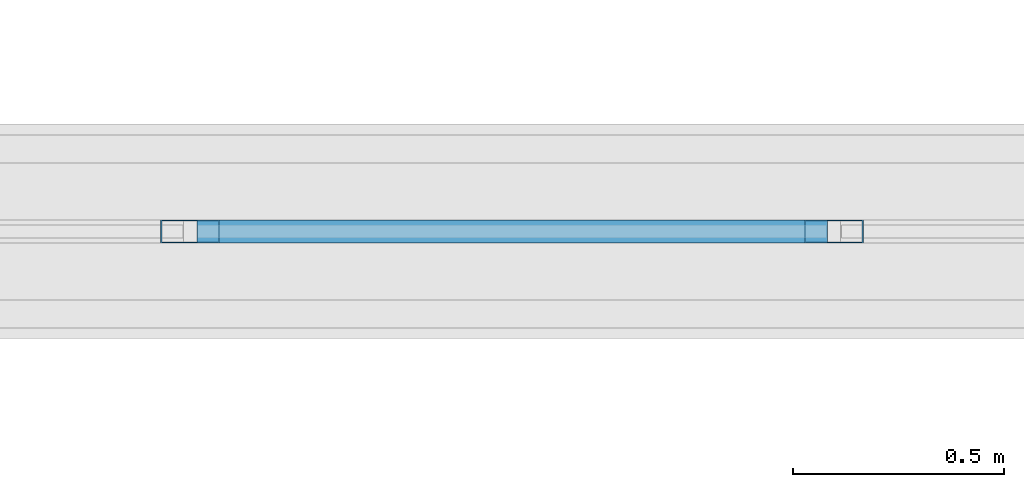
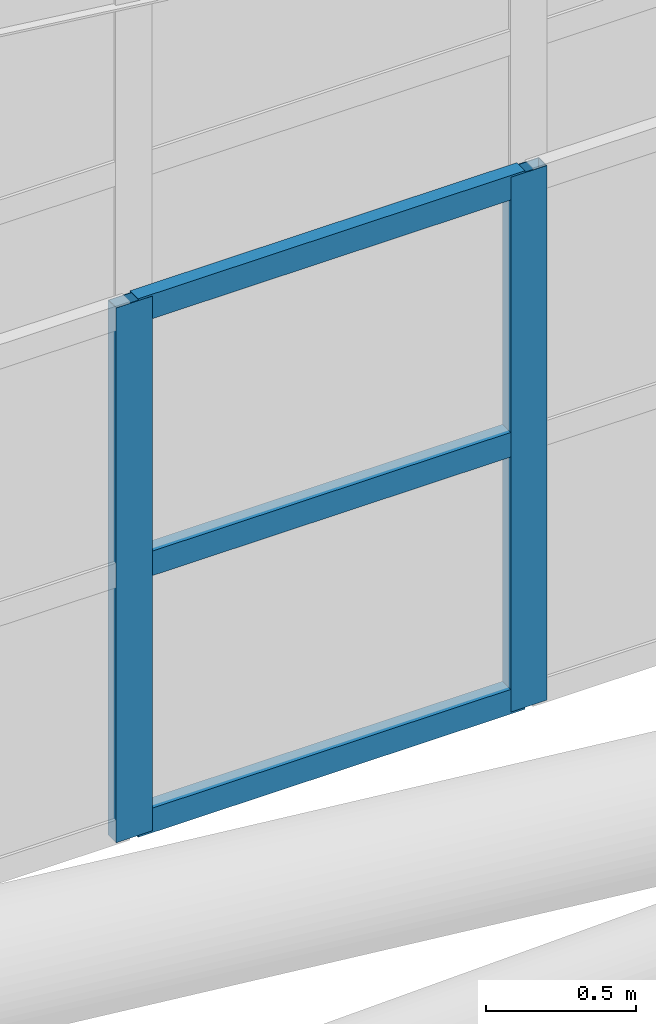
# One storey, part 313 of 397: 5 members, 1 element without a shape of its own.
"""IFC4 building model written with IfcOpenShell, lengths in metres."""

from ifc_helpers import new_model, si_unit, direction, frame, origin, origin_2d, place, context, subcontext, project, spatial, hollow_rectangle, extrude, material, material_profile, profile_set, type_object, element, aggregate, save


model = new_model("IFC4")

# Units and contexts
model_context = context("Model", 3, precision=1e-05, world=origin(), true_north=direction((0.0, 1.0)))
body_context = subcontext(model_context, "Body", "Model", "MODEL_VIEW")
ifc_project = project(units=[si_unit("LENGTHUNIT", "METRE"), si_unit("AREAUNIT", "SQUARE_METRE"), si_unit("VOLUMEUNIT", "CUBIC_METRE"), si_unit("PLANEANGLEUNIT", "RADIAN"), si_unit("MASSUNIT", "GRAM", prefix="KILO")], contexts=[model_context])

# Site, building, storey
site_placement = place(None, origin())
site = spatial("IfcSite", under=ifc_project, at=site_placement, CompositionType="ELEMENT")
building_placement = place(site_placement, origin())
building = spatial("IfcBuilding", under=site, at=building_placement, Name="Qandorah Velis Arena", CompositionType="ELEMENT")
storey_placement = place(building_placement, frame((0.0, 0.0, 27.5)))
storey = spatial("IfcBuildingStorey", under=building, at=storey_placement, Name="RF", CompositionType="ELEMENT", Elevation=27.5)

# Curtain wall, members
ifc_material_1 = material(Name="Solar-control low-E double glazing", Category="glass")
curtain_wall_type = type_object("IfcCurtainWallType", Name="ARC-CW-SYS01", PredefinedType="USERDEFINED", material=ifc_material_1)
curtain_wall_placement = place(storey_placement, origin())
curtain_wall = element("IfcCurtainWall", 1, at=curtain_wall_placement, inside=storey, type_object=curtain_wall_type, Name="Unitised curtain wall OCULUS-4-5", ObjectType="UNITISED CURTAIN WALL", PredefinedType="USERDEFINED")
ifc_material_2 = material(Name="Champagne-bronze anodized aluminium 6063-T6", Category="aluminium")
ifc_material_profile_1 = material_profile(ifc_material_2, hollow_rectangle(XDim=0.054931640625, YDim=0.139892578125, WallThickness=0.0029296875, at=origin_2d()), Name="ALU MULLION 55x140")
ifc_profile_set_1 = profile_set([ifc_material_profile_1], Name="Champagne-bronze anodized aluminium 6063-T6")
member_type_1 = type_object("IfcMemberType", Name="ARC-CWM-140", PredefinedType="MULLION", material=ifc_profile_set_1)
member_1_placement = place(storey_placement, frame((94.361083984375, 100.800048828125, 8.53515625), z_axis=(0.0, 0.0, 1.0), x_axis=(0.0, 1.0, 0.0)))
member_1 = element("IfcMember", 2, at=member_1_placement, type_object=member_type_1, Name="CW01 mullion 6", PredefinedType="MULLION", context=body_context, shape_type="SweptSolid", body=[
    extrude(hollow_rectangle(XDim=0.054931640625, YDim=0.139892578125, WallThickness=0.0029296875, at=origin_2d()), origin(), (0.0, 0.0, 1.0), 2.179931640625),
])
member_2_placement = place(storey_placement, frame((95.88330078125, 100.800048828125, 8.53515625), z_axis=(0.0, 0.0, 1.0), x_axis=(0.0, 1.0, 0.0)))
member_2 = element("IfcMember", 3, at=member_2_placement, type_object=member_type_1, Name="CW01 mullion 7", PredefinedType="MULLION", context=body_context, shape_type="SweptSolid", body=[
    extrude(hollow_rectangle(XDim=0.054931640625, YDim=0.139892578125, WallThickness=0.0029296875, at=origin_2d()), origin(), (0.0, 0.0, 1.0), 2.179931640625),
])
ifc_material_profile_2 = material_profile(ifc_material_2, hollow_rectangle(XDim=0.054931640625, YDim=0.10009765625, WallThickness=0.0029296875, at=origin_2d()), Name="ALU TRANSOM 55x100")
ifc_profile_set_2 = profile_set([ifc_material_profile_2], Name="Champagne-bronze anodized aluminium 6063-T6")
member_type_2 = type_object("IfcMemberType", Name="ARC-CWT-100", PredefinedType="USERDEFINED", material=ifc_profile_set_2)
member_3_placement = place(storey_placement, frame((94.376708984375, 100.800048828125, 8.57763671875), z_axis=(1.0, 0.0, 0.0), x_axis=(0.0, 1.0, 0.0)))
member_3 = element("IfcMember", 4, at=member_3_placement, type_object=member_type_2, Name="CW01 transom 6.1", ObjectType="TRANSOM", PredefinedType="USERDEFINED", context=body_context, shape_type="SweptSolid", body=[
    extrude(hollow_rectangle(XDim=0.054931640625, YDim=0.10009765625, WallThickness=0.0029296875, at=origin_2d()), origin(), (0.0, 0.0, 1.0), 1.4912109375),
])
member_4_placement = place(storey_placement, frame((94.376708984375, 100.800048828125, 9.625244140625), z_axis=(1.0, 0.0, 0.0), x_axis=(0.0, 1.0, 0.0)))
member_4 = element("IfcMember", 5, at=member_4_placement, type_object=member_type_2, Name="CW01 transom 6.2", ObjectType="TRANSOM", PredefinedType="USERDEFINED", context=body_context, shape_type="SweptSolid", body=[
    extrude(hollow_rectangle(XDim=0.054931640625, YDim=0.10009765625, WallThickness=0.0029296875, at=origin_2d()), origin(), (0.0, 0.0, 1.0), 1.4912109375),
])
member_5_placement = place(storey_placement, frame((94.376708984375, 100.800048828125, 10.672607421875), z_axis=(1.0, 0.0, 0.0), x_axis=(0.0, 1.0, 0.0)))
member_5 = element("IfcMember", 6, at=member_5_placement, type_object=member_type_2, Name="CW01 transom 6.3", ObjectType="TRANSOM", PredefinedType="USERDEFINED", context=body_context, shape_type="SweptSolid", body=[
    extrude(hollow_rectangle(XDim=0.054931640625, YDim=0.10009765625, WallThickness=0.0029296875, at=origin_2d()), origin(), (0.0, 0.0, 1.0), 1.4912109375),
])
aggregate(curtain_wall, [member_1, member_2, member_3, member_4, member_5])

save(model, "model.ifc")
